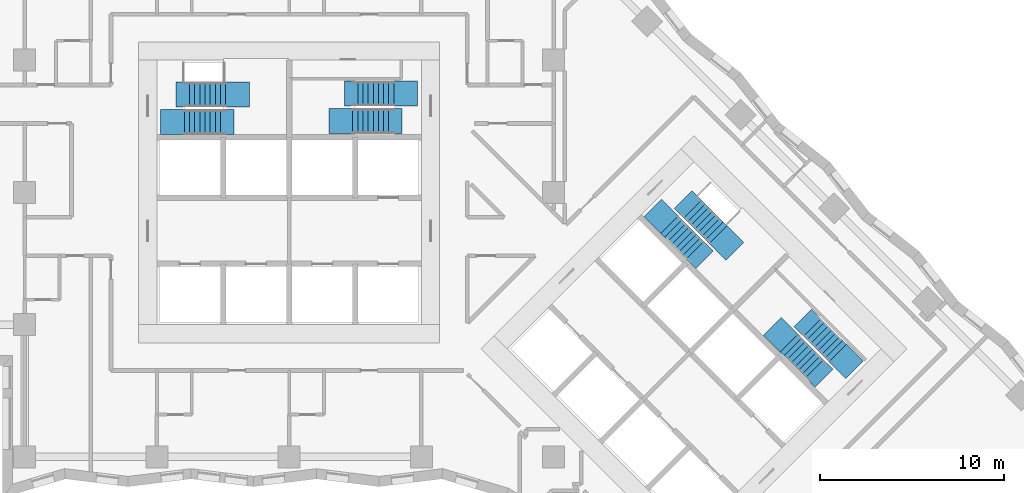
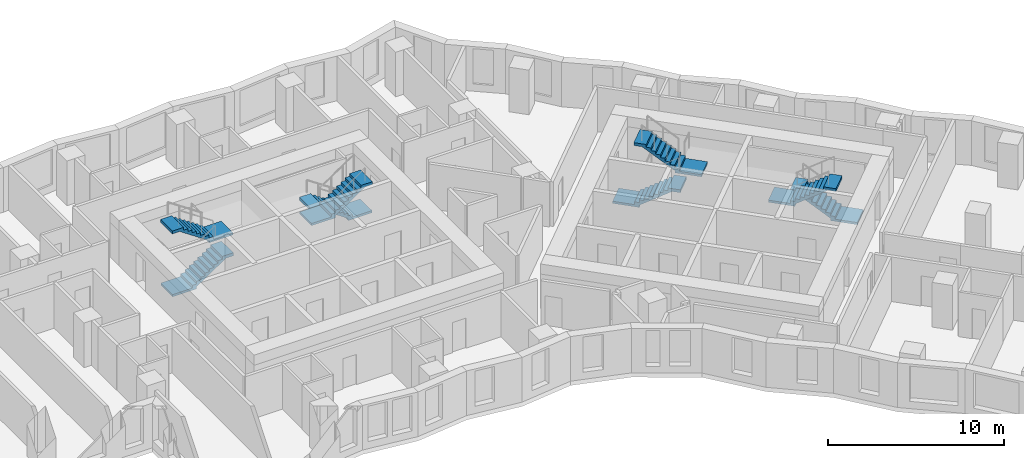
# One storey, part 11 of 13: 8 stair flights, 4 elements without a shape of their own.
"""IFC4 building model written with IfcOpenShell, lengths in metres."""

from ifc_helpers import new_model, si_unit, direction, frame, origin, place, context, subcontext, project, spatial, polyline, outline, extrude, material, type_object, element, aggregate, save


model = new_model("IFC4")

# Units and contexts
model_context = context("Model", 3, precision=1e-05, world=origin(), true_north=direction((0.0, 1.0)))
body_context = subcontext(model_context, "Body", "Model", "MODEL_VIEW")
ifc_project = project(units=[si_unit("LENGTHUNIT", "METRE"), si_unit("AREAUNIT", "SQUARE_METRE"), si_unit("VOLUMEUNIT", "CUBIC_METRE"), si_unit("PLANEANGLEUNIT", "RADIAN"), si_unit("MASSUNIT", "GRAM", prefix="KILO")], contexts=[model_context])

# Site, building, storey
site_placement = place(None, origin())
site = spatial("IfcSite", under=ifc_project, at=site_placement, CompositionType="ELEMENT")
building_placement = place(site_placement, origin())
building = spatial("IfcBuilding", under=site, at=building_placement, Name="Windrow Commons", CompositionType="ELEMENT")
storey_placement = place(building_placement, frame((0.0, 0.0, 40.6)))
storey = spatial("IfcBuildingStorey", under=building, at=storey_placement, Name="L10", CompositionType="ELEMENT", Elevation=40.6)

# Stair, stair flights
ifc_material_1 = material(Name="Concrete C40/50", Category="concrete")
stair_type = type_object("IfcStairType", Name="Core stair", PredefinedType="HALF_TURN_STAIR", material=ifc_material_1)
placement = place(storey_placement, origin())
stair_1 = element("IfcStair", 1, at=placement, inside=storey, type_object=stair_type, Name="L10 Exit stair A1 core A", PredefinedType="HALF_TURN_STAIR")
ifc_material_2 = material(Name="Concrete C40/50", Category="concrete")
stair_flight_type = type_object("IfcStairFlightType", Name="Core stair flight", PredefinedType="STRAIGHT", material=ifc_material_2)
stair_flight_1_placement = place(storey_placement, frame((59.1, 61.425, 0.0), z_axis=(0.0, 0.0, 1.0), x_axis=(1.0, 0.0, 0.0)))
stair_flight_1 = element("IfcStairFlight", 2, at=stair_flight_1_placement, type_object=stair_flight_type, Name="ST-A1 flight 1", NumberOfRisers=9, NumberOfTreads=8, PredefinedType="STRAIGHT", RiserHeight=0.188888889, TreadLength=0.28, context=body_context, shape_type="SweptSolid", body=[
    extrude(outline(polyline([(-1.3, -0.15), (-1.3, 0.0), (0.0, 0.0), (0.0, 0.1889), (0.28, 0.1889), (0.28, 0.3778), (0.56, 0.3778), (0.56, 0.5667), (0.84, 0.5667), (0.84, 0.7556), (1.12, 0.7556), (1.12, 0.9444), (1.4, 0.9444), (1.4, 1.1333), (1.68, 1.1333), (1.68, 1.3222), (1.96, 1.3222), (1.96, 1.5111), (2.24, 1.5111), (2.69, 1.5111), (2.69, 1.3111), (2.24, 1.3111), (2.24, 1.3302), (0.2682, 0.0), (0.2682, -0.15), (-1.3, -0.15)])), frame((0.0, 0.675, 0.0), z_axis=(0.0, -1.0, 0.0), x_axis=(1.0, 0.0, 0.0)), (0.0, 0.0, 1.0), 1.35),
])
stair_flight_2_placement = place(storey_placement, frame((61.34, 62.925, 1.7), z_axis=(0.0, 0.0, 1.0), x_axis=(-1.0, 0.0, 0.0)))
stair_flight_2 = element("IfcStairFlight", 3, at=stair_flight_2_placement, type_object=stair_flight_type, Name="ST-A1 flight 2", NumberOfRisers=9, NumberOfTreads=8, PredefinedType="STRAIGHT", RiserHeight=0.188888889, TreadLength=0.28, context=body_context, shape_type="SweptSolid", body=[
    extrude(outline(polyline([(-1.3, -0.15), (-1.3, 0.0), (0.0, 0.0), (0.0, 0.1889), (0.28, 0.1889), (0.28, 0.3778), (0.56, 0.3778), (0.56, 0.5667), (0.84, 0.5667), (0.84, 0.7556), (1.12, 0.7556), (1.12, 0.9444), (1.4, 0.9444), (1.4, 1.1333), (1.68, 1.1333), (1.68, 1.3222), (1.96, 1.3222), (1.96, 1.5111), (2.24, 1.5111), (2.69, 1.5111), (2.69, 1.3111), (2.24, 1.3111), (2.24, 1.3302), (0.2682, 0.0), (0.2682, -0.15), (-1.3, -0.15)])), frame((0.0, 0.675, 0.0), z_axis=(0.0, -1.0, 0.0), x_axis=(1.0, 0.0, 0.0)), (0.0, 0.0, 1.0), 1.35),
])
aggregate(stair_1, [stair_flight_1, stair_flight_2])

stair_2 = element("IfcStair", 4, at=placement, inside=storey, type_object=stair_type, Name="L10 Exit stair A2 core A", PredefinedType="HALF_TURN_STAIR")
stair_flight_3_placement = place(storey_placement, frame((70.5, 62.98, 0.0), z_axis=(0.0, 0.0, 1.0), x_axis=(-1.0, 0.0, 0.0)))
stair_flight_3 = element("IfcStairFlight", 5, at=stair_flight_3_placement, type_object=stair_flight_type, Name="ST-A2 flight 1", NumberOfRisers=9, NumberOfTreads=8, PredefinedType="STRAIGHT", RiserHeight=0.188888889, TreadLength=0.28, context=body_context, shape_type="SweptSolid", body=[
    extrude(outline(polyline([(-1.3, -0.15), (-1.3, 0.0), (0.0, 0.0), (0.0, 0.1889), (0.28, 0.1889), (0.28, 0.3778), (0.56, 0.3778), (0.56, 0.5667), (0.84, 0.5667), (0.84, 0.7556), (1.12, 0.7556), (1.12, 0.9444), (1.4, 0.9444), (1.4, 1.1333), (1.68, 1.1333), (1.68, 1.3222), (1.96, 1.3222), (1.96, 1.5111), (2.24, 1.5111), (2.69, 1.5111), (2.69, 1.3111), (2.24, 1.3111), (2.24, 1.3302), (0.2682, 0.0), (0.2682, -0.15), (-1.3, -0.15)])), frame((0.0, 0.675, 0.0), z_axis=(0.0, -1.0, 0.0), x_axis=(1.0, 0.0, 0.0)), (0.0, 0.0, 1.0), 1.35),
])
stair_flight_4_placement = place(storey_placement, frame((68.26, 61.48, 1.7), z_axis=(0.0, 0.0, 1.0), x_axis=(1.0, 0.0, 0.0)))
stair_flight_4 = element("IfcStairFlight", 6, at=stair_flight_4_placement, type_object=stair_flight_type, Name="ST-A2 flight 2", NumberOfRisers=9, NumberOfTreads=8, PredefinedType="STRAIGHT", RiserHeight=0.188888889, TreadLength=0.28, context=body_context, shape_type="SweptSolid", body=[
    extrude(outline(polyline([(-1.3, -0.15), (-1.3, 0.0), (0.0, 0.0), (0.0, 0.1889), (0.28, 0.1889), (0.28, 0.3778), (0.56, 0.3778), (0.56, 0.5667), (0.84, 0.5667), (0.84, 0.7556), (1.12, 0.7556), (1.12, 0.9444), (1.4, 0.9444), (1.4, 1.1333), (1.68, 1.1333), (1.68, 1.3222), (1.96, 1.3222), (1.96, 1.5111), (2.24, 1.5111), (2.69, 1.5111), (2.69, 1.3111), (2.24, 1.3111), (2.24, 1.3302), (0.2682, 0.0), (0.2682, -0.15), (-1.3, -0.15)])), frame((0.0, 0.675, 0.0), z_axis=(0.0, -1.0, 0.0), x_axis=(1.0, 0.0, 0.0)), (0.0, 0.0, 1.0), 1.35),
])
aggregate(stair_2, [stair_flight_3, stair_flight_4])

stair_3 = element("IfcStair", 7, at=placement, inside=storey, type_object=stair_type, Name="L10 Exit stair B1 core B", PredefinedType="HALF_TURN_STAIR")
stair_flight_5_placement = place(storey_placement, frame((85.5109, 55.8249, 0.0), z_axis=(0.0, 0.0, 1.0), x_axis=(0.7071067812, -0.7071067812, 0.0)))
stair_flight_5 = element("IfcStairFlight", 8, at=stair_flight_5_placement, type_object=stair_flight_type, Name="ST-B1 flight 1", NumberOfRisers=9, NumberOfTreads=8, PredefinedType="STRAIGHT", RiserHeight=0.188888889, TreadLength=0.28, context=body_context, shape_type="SweptSolid", body=[
    extrude(outline(polyline([(-1.3, -0.15), (-1.3, 0.0), (0.0, 0.0), (0.0, 0.1889), (0.28, 0.1889), (0.28, 0.3778), (0.56, 0.3778), (0.56, 0.5667), (0.84, 0.5667), (0.84, 0.7556), (1.12, 0.7556), (1.12, 0.9444), (1.4, 0.9444), (1.4, 1.1333), (1.68, 1.1333), (1.68, 1.3222), (1.96, 1.3222), (1.96, 1.5111), (2.24, 1.5111), (2.69, 1.5111), (2.69, 1.3111), (2.24, 1.3111), (2.24, 1.3302), (0.2682, 0.0), (0.2682, -0.15), (-1.3, -0.15)])), frame((0.0, 0.675, 0.0), z_axis=(0.0, -1.0, 0.0), x_axis=(1.0, 0.0, 0.0)), (0.0, 0.0, 1.0), 1.35),
])
stair_flight_6_placement = place(storey_placement, frame((88.1555, 55.3017, 1.7), z_axis=(0.0, 0.0, 1.0), x_axis=(-0.7071067812, 0.7071067812, 0.0)))
stair_flight_6 = element("IfcStairFlight", 9, at=stair_flight_6_placement, type_object=stair_flight_type, Name="ST-B1 flight 2", NumberOfRisers=9, NumberOfTreads=8, PredefinedType="STRAIGHT", RiserHeight=0.188888889, TreadLength=0.28, context=body_context, shape_type="SweptSolid", body=[
    extrude(outline(polyline([(-1.3, -0.15), (-1.3, 0.0), (0.0, 0.0), (0.0, 0.1889), (0.28, 0.1889), (0.28, 0.3778), (0.56, 0.3778), (0.56, 0.5667), (0.84, 0.5667), (0.84, 0.7556), (1.12, 0.7556), (1.12, 0.9444), (1.4, 0.9444), (1.4, 1.1333), (1.68, 1.1333), (1.68, 1.3222), (1.96, 1.3222), (1.96, 1.5111), (2.24, 1.5111), (2.69, 1.5111), (2.69, 1.3111), (2.24, 1.3111), (2.24, 1.3302), (0.2682, 0.0), (0.2682, -0.15), (-1.3, -0.15)])), frame((0.0, 0.675, 0.0), z_axis=(0.0, -1.0, 0.0), x_axis=(1.0, 0.0, 0.0)), (0.0, 0.0, 1.0), 1.35),
])
aggregate(stair_3, [stair_flight_5, stair_flight_6])

stair_4 = element("IfcStair", 10, at=placement, inside=storey, type_object=stair_type, Name="L10 Exit stair B2 core B", PredefinedType="HALF_TURN_STAIR")
stair_flight_7_placement = place(storey_placement, frame((94.6715, 48.8635, 0.0), z_axis=(0.0, 0.0, 1.0), x_axis=(-0.7071067812, 0.7071067812, 0.0)))
stair_flight_7 = element("IfcStairFlight", 11, at=stair_flight_7_placement, type_object=stair_flight_type, Name="ST-B2 flight 1", NumberOfRisers=9, NumberOfTreads=8, PredefinedType="STRAIGHT", RiserHeight=0.188888889, TreadLength=0.28, context=body_context, shape_type="SweptSolid", body=[
    extrude(outline(polyline([(-1.3, -0.15), (-1.3, 0.0), (0.0, 0.0), (0.0, 0.1889), (0.28, 0.1889), (0.28, 0.3778), (0.56, 0.3778), (0.56, 0.5667), (0.84, 0.5667), (0.84, 0.7556), (1.12, 0.7556), (1.12, 0.9444), (1.4, 0.9444), (1.4, 1.1333), (1.68, 1.1333), (1.68, 1.3222), (1.96, 1.3222), (1.96, 1.5111), (2.24, 1.5111), (2.69, 1.5111), (2.69, 1.3111), (2.24, 1.3111), (2.24, 1.3302), (0.2682, 0.0), (0.2682, -0.15), (-1.3, -0.15)])), frame((0.0, 0.675, 0.0), z_axis=(0.0, -1.0, 0.0), x_axis=(1.0, 0.0, 0.0)), (0.0, 0.0, 1.0), 1.35),
])
stair_flight_8_placement = place(storey_placement, frame((92.0269, 49.3867, 1.7), z_axis=(0.0, 0.0, 1.0), x_axis=(0.7071067812, -0.7071067812, 0.0)))
stair_flight_8 = element("IfcStairFlight", 12, at=stair_flight_8_placement, type_object=stair_flight_type, Name="ST-B2 flight 2", NumberOfRisers=9, NumberOfTreads=8, PredefinedType="STRAIGHT", RiserHeight=0.188888889, TreadLength=0.28, context=body_context, shape_type="SweptSolid", body=[
    extrude(outline(polyline([(-1.3, -0.15), (-1.3, 0.0), (0.0, 0.0), (0.0, 0.1889), (0.28, 0.1889), (0.28, 0.3778), (0.56, 0.3778), (0.56, 0.5667), (0.84, 0.5667), (0.84, 0.7556), (1.12, 0.7556), (1.12, 0.9444), (1.4, 0.9444), (1.4, 1.1333), (1.68, 1.1333), (1.68, 1.3222), (1.96, 1.3222), (1.96, 1.5111), (2.24, 1.5111), (2.69, 1.5111), (2.69, 1.3111), (2.24, 1.3111), (2.24, 1.3302), (0.2682, 0.0), (0.2682, -0.15), (-1.3, -0.15)])), frame((0.0, 0.675, 0.0), z_axis=(0.0, -1.0, 0.0), x_axis=(1.0, 0.0, 0.0)), (0.0, 0.0, 1.0), 1.35),
])
aggregate(stair_4, [stair_flight_7, stair_flight_8])

save(model, "model.ifc")
